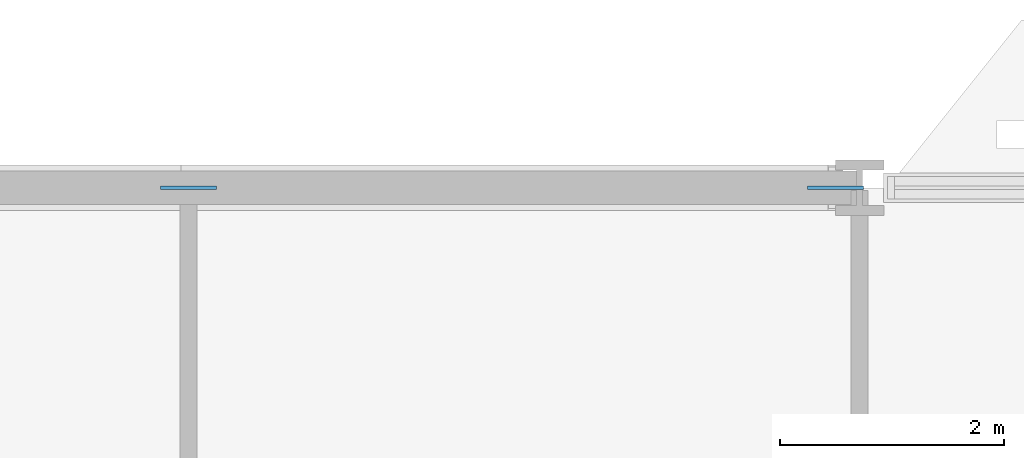
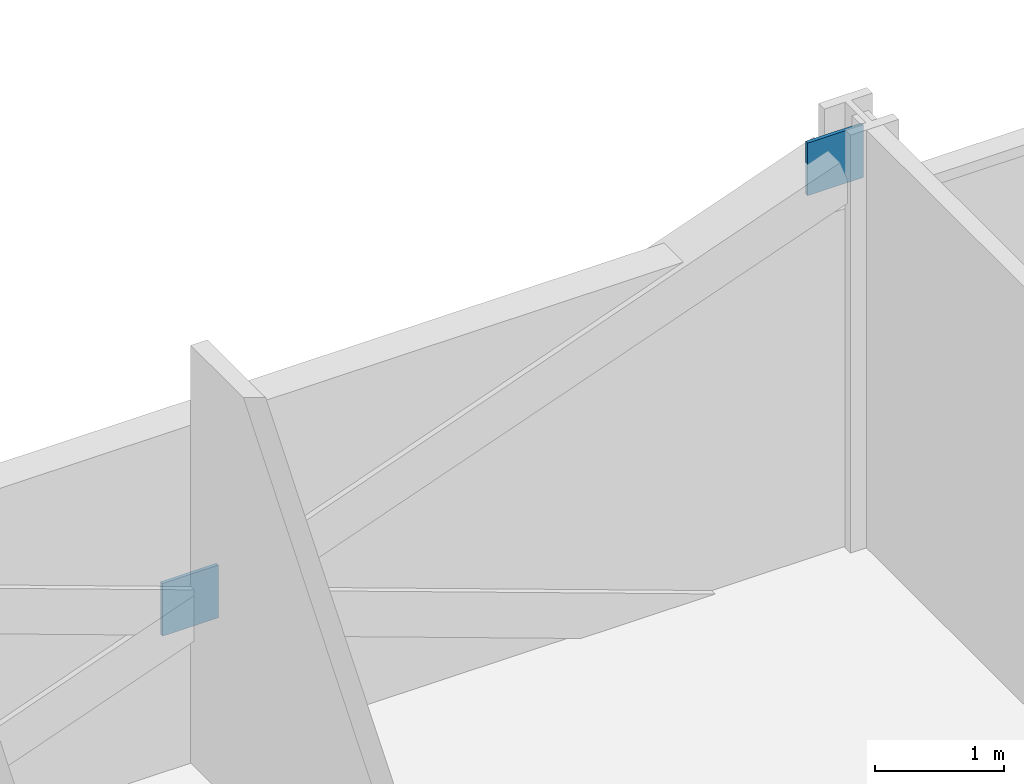
# One storey, part 20 of 29: 2 discrete accessories.
"""IFC4 building model written with IfcOpenShell, lengths in metres."""

from ifc_helpers import new_model, si_unit, direction, frame, origin, origin_2d, place, context, subcontext, project, spatial, rectangle, extrude, material, layer, layer_set, type_object, element, save


model = new_model("IFC4")

# Units and contexts
model_context = context("Model", 3, precision=1e-05, world=origin(), true_north=direction((0.0, 1.0)))
body_context = subcontext(model_context, "Body", "Model", "MODEL_VIEW")
ifc_project = project(units=[si_unit("LENGTHUNIT", "METRE"), si_unit("AREAUNIT", "SQUARE_METRE"), si_unit("VOLUMEUNIT", "CUBIC_METRE"), si_unit("PLANEANGLEUNIT", "RADIAN"), si_unit("MASSUNIT", "GRAM", prefix="KILO")], contexts=[model_context])

# Site, building, storey
site_placement = place(None, origin())
site = spatial("IfcSite", under=ifc_project, at=site_placement, CompositionType="ELEMENT")
building_placement = place(site_placement, origin())
building = spatial("IfcBuilding", under=site, at=building_placement, Name="Mahtab Terrace Research Tower", CompositionType="ELEMENT")
storey_placement = place(building_placement, frame((0.0, 0.0, 20.10009765625)))
storey = spatial("IfcBuildingStorey", under=building, at=storey_placement, Name="L04", CompositionType="ELEMENT", Elevation=20.10009765625)

# Discrete accessories
ifc_material = material(Name="Steel ASTM A992 Gr 50", Category="steel")
ifc_layer = layer(ifc_material, 0.030029296875)
ifc_layer_set = layer_set([ifc_layer], Name="Gusset plate 500x500x30")
discrete_accessory_type = type_object("IfcDiscreteAccessoryType", Name="Gusset plate 500x500x30", PredefinedType="USERDEFINED", material=ifc_layer_set)
for number, where, z_axis, x_axis, name in (
    (1, (0.0, 23.0, 1.181396484375), (0.0, 0.0, 1.0), (1.0, 0.0, 0.0), "Gusset plate"),
    (2, (5.7841796875, 23.0, 3.331298828125), (0.0, 0.0, 1.0), (1.0, 0.0, 0.0), "Gusset plate"),
):
    element("IfcDiscreteAccessory", number, at=place(storey_placement, frame(where, z_axis=z_axis, x_axis=x_axis)), inside=storey, type_object=discrete_accessory_type, Name=name, ObjectType="GUSSET PLATE", PredefinedType="USERDEFINED", context=body_context, shape_type="SweptSolid", body=[
        extrude(rectangle(XDim=0.5, YDim=0.030029296875, at=origin_2d()), origin(), (0.0, 0.0, 1.0), 0.5),
    ])

save(model, "model.ifc")
